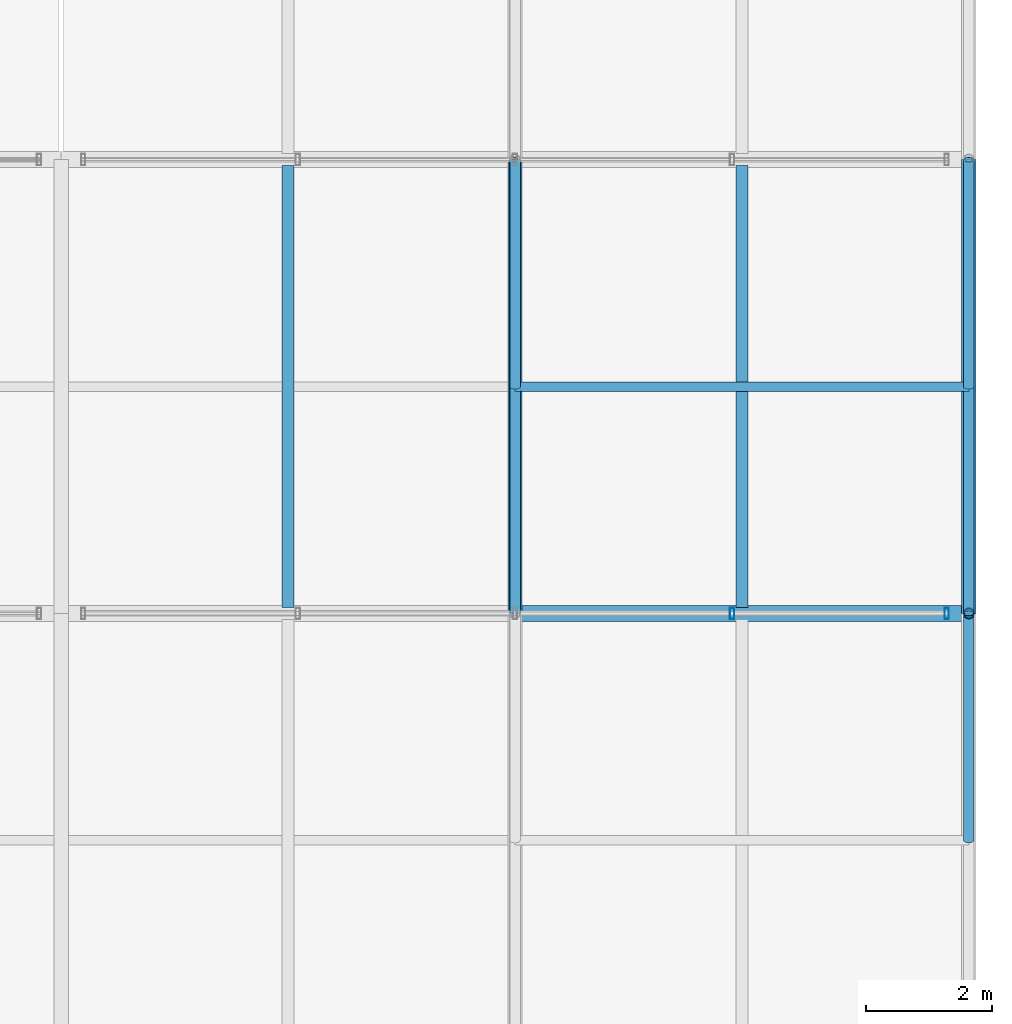
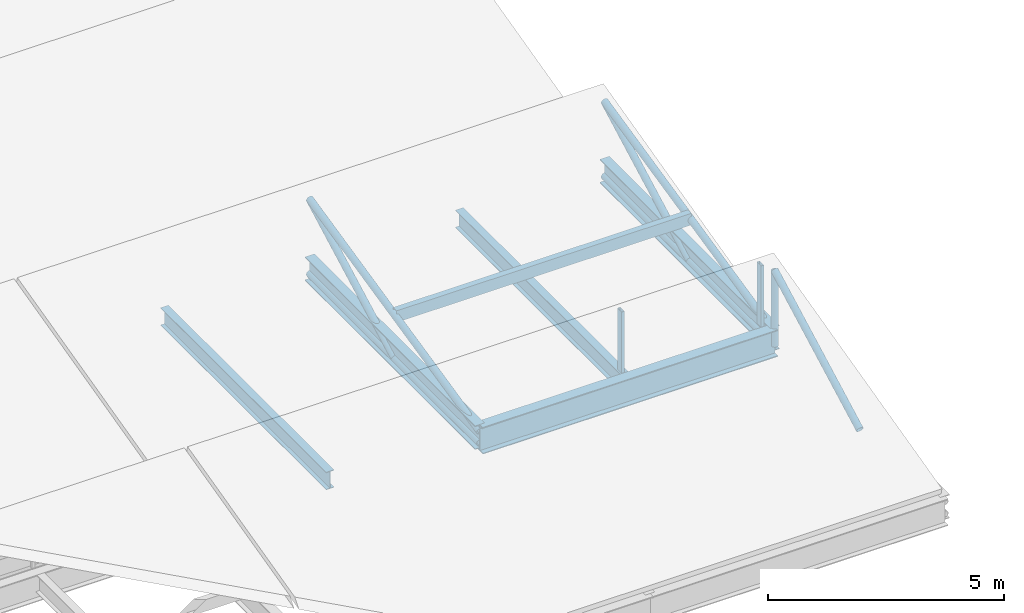
# One storey, part 61 of 144: 11 members, 5 beams, 1 element without a shape of its own.
"""IFC4 building model written with IfcOpenShell, lengths in metres."""

from ifc_helpers import new_model, si_unit, direction, frame, origin, origin_2d, place, context, subcontext, project, spatial, hollow_rectangle, hollow_circle, i_section, extrude, material, material_profile, profile_set, type_object, element, aggregate, save


model = new_model("IFC4")

# Units and contexts
model_context = context("Model", 3, precision=1e-05, world=origin(), true_north=direction((0.0, 1.0)))
body_context = subcontext(model_context, "Body", "Model", "MODEL_VIEW")
ifc_project = project(units=[si_unit("LENGTHUNIT", "METRE"), si_unit("AREAUNIT", "SQUARE_METRE"), si_unit("VOLUMEUNIT", "CUBIC_METRE"), si_unit("PLANEANGLEUNIT", "RADIAN"), si_unit("MASSUNIT", "GRAM", prefix="KILO")], contexts=[model_context])

# Site, building, storey
site_placement = place(None, origin())
site = spatial("IfcSite", under=ifc_project, at=site_placement, CompositionType="ELEMENT")
building_placement = place(site_placement, origin())
building = spatial("IfcBuilding", under=site, at=building_placement, Name="Yarey Park Central Fire Station", CompositionType="ELEMENT")
storey_placement = place(building_placement, frame((0.0, 0.0, 10.199951171875)))
storey = spatial("IfcBuildingStorey", under=building, at=storey_placement, Name="L03", CompositionType="ELEMENT", Elevation=10.199951171875)

# Curtain wall, members
ifc_material_1 = material(Name="Anodized Aluminium Frame", Category="aluminium")
curtain_wall_type = type_object("IfcCurtainWallType", Name="ENV_CW_SAW_18", PredefinedType="NOTDEFINED", material=ifc_material_1)
curtain_wall_placement = place(storey_placement, origin())
curtain_wall = element("IfcCurtainWall", 1, at=curtain_wall_placement, inside=storey, type_object=curtain_wall_type, Name="CW_L03_SAW_1_2", PredefinedType="NOTDEFINED")
ifc_material_profile_1 = material_profile(ifc_material_1, hollow_rectangle(XDim=0.070068359375, YDim=0.179931640625, WallThickness=0.00390625, at=origin_2d()), Name="ALU 180x70x4")
ifc_profile_set_1 = profile_set([ifc_material_profile_1], Name="Anodized Aluminium Frame")
member_type_1 = type_object("IfcMemberType", Name="ENV_CW_MULLION", PredefinedType="MULLION", material=ifc_profile_set_1)
member_1_placement = place(storey_placement, frame((165.25, 50.39990234375, 0.0), z_axis=(0.0, 0.0, 1.0), x_axis=(1.0, 0.0, 0.0)))
member_1 = element("IfcMember", 2, at=member_1_placement, type_object=member_type_1, Name="CW_L03_SAW_1_2_MUL1", PredefinedType="MULLION", context=body_context, shape_type="SweptSolid", body=[
    extrude(hollow_rectangle(XDim=0.070068359375, YDim=0.179931640625, WallThickness=0.00390625, at=origin_2d()), origin(), (0.0, 0.0, 1.0), 1.580078125),
])
member_2_placement = place(storey_placement, frame((161.844970703125, 50.39990234375, 0.0), z_axis=(0.0, 0.0, 1.0), x_axis=(1.0, 0.0, 0.0)))
member_2 = element("IfcMember", 3, at=member_2_placement, type_object=member_type_1, Name="CW_L03_SAW_1_2_MUL2", PredefinedType="MULLION", context=body_context, shape_type="SweptSolid", body=[
    extrude(hollow_rectangle(XDim=0.070068359375, YDim=0.179931640625, WallThickness=0.00390625, at=origin_2d()), origin(), (0.0, 0.0, 1.0), 1.580078125),
])
aggregate(curtain_wall, [member_1, member_2])

# Beams
ifc_material_2 = material(Name="Steel ASTM A992 Gr. 50", Category="steel")
ifc_material_profile_2 = material_profile(ifc_material_2, i_section(OverallWidth=0.22900390625, OverallDepth=0.612060546875, WebThickness=0.011962890625, FlangeThickness=0.01953125, at=origin_2d()), Name="W610x125")
ifc_profile_set_2 = profile_set([ifc_material_profile_2], Name="Steel ASTM A992 Gr. 50")
beam_type_1 = type_object("IfcBeamType", Name="STR_BM_W610", PredefinedType="BEAM", material=ifc_profile_set_2)
for number, where, z_axis, x_axis, name in (
    (4, (158.39990234375, 50.39990234375, -0.48583984375), (0.0, 1.0, 0.0), (-1.0, 0.0, 0.0), "BMY L03 X1584 Y504"),
    (5, (165.60009765625, 50.39990234375, -0.48583984375), (0.0, 1.0, 0.0), (-1.0, 0.0, 0.0), "BMY L03 X1656 Y504"),
):
    element("IfcBeam", number, at=place(storey_placement, frame(where, z_axis=z_axis, x_axis=x_axis)), inside=storey, type_object=beam_type_1, Name=name, PredefinedType="BEAM", context=body_context, shape_type="SweptSolid", body=[
        extrude(i_section(OverallWidth=0.22900390625, OverallDepth=0.612060546875, WebThickness=0.011962890625, FlangeThickness=0.01953125, at=origin_2d()), origin(), (0.0, 0.0, 1.0), 7.2001953125),
    ])
ifc_material_profile_3 = material_profile(ifc_material_2, i_section(OverallWidth=0.256103515625, OverallDepth=0.693115234375, WebThickness=0.014404296875, FlangeThickness=0.023681640625, at=origin_2d()), Name="W690x170")
ifc_profile_set_3 = profile_set([ifc_material_profile_3], Name="Steel ASTM A992 Gr. 50")
beam_type_2 = type_object("IfcBeamType", Name="STR_BM_W690", PredefinedType="BEAM", material=ifc_profile_set_3)
beam_placement = place(storey_placement, frame((158.39990234375, 50.39990234375, -0.5263671875), z_axis=(1.0, 0.0, 0.0), x_axis=(0.0, 1.0, 0.0)))
element("IfcBeam", 6, at=beam_placement, inside=storey, type_object=beam_type_2, Name="BMX L03 Y504 X1584", PredefinedType="BEAM", context=body_context, shape_type="SweptSolid", body=[
    extrude(i_section(OverallWidth=0.256103515625, OverallDepth=0.693115234375, WebThickness=0.014404296875, FlangeThickness=0.023681640625, at=origin_2d()), origin(), (0.0, 0.0, 1.0), 7.2001953125),
])

# Members
ifc_material_3 = material(Name="Steel ASTM A500 Gr. C", Category="steel")
ifc_material_profile_4 = material_profile(ifc_material_3, hollow_circle(Radius=0.084228515625, WallThickness=0.008056640625, at=origin_2d()), Name="CHS 168.3x8")
ifc_profile_set_4 = profile_set([ifc_material_profile_4], Name="Steel ASTM A500 Gr. C")
member_type_2 = type_object("IfcMemberType", Name="STR_CHORD_CHS168", PredefinedType="CHORD", material=ifc_profile_set_4)
member_3_placement = place(storey_placement, frame((158.39990234375, 50.39990234375, -0.64990234375), z_axis=(0.0, 1.0, 0.0), x_axis=(-1.0, 0.0, 0.0)))
element("IfcMember", 7, at=member_3_placement, inside=storey, type_object=member_type_2, Name="SAW_T3_B2_BC", PredefinedType="CHORD", context=body_context, shape_type="SweptSolid", body=[
    extrude(hollow_circle(Radius=0.084228515625, WallThickness=0.008056640625, at=origin_2d()), origin(), (0.0, 0.0, 1.0), 7.2001953125),
])
member_4_placement = place(storey_placement, frame((158.39990234375, 50.39990234375, -0.349853515625), z_axis=(0.0, 0.975465753488, 0.220151229324), x_axis=(-1.0, 0.0, 0.0)))
element("IfcMember", 8, at=member_4_placement, inside=storey, type_object=member_type_2, Name="SAW_T3_B2_TC", PredefinedType="CHORD", context=body_context, shape_type="SweptSolid", body=[
    extrude(hollow_circle(Radius=0.084228515625, WallThickness=0.008056640625, at=origin_2d()), origin(), (0.0, 0.0, 1.0), 7.38134765625),
])
member_5_placement = place(storey_placement, frame((165.60009765625, 50.39990234375, -0.64990234375), z_axis=(0.0, 1.0, 0.0), x_axis=(-1.0, 0.0, 0.0)))
element("IfcMember", 9, at=member_5_placement, inside=storey, type_object=member_type_2, Name="SAW_T4_B2_BC", PredefinedType="CHORD", context=body_context, shape_type="SweptSolid", body=[
    extrude(hollow_circle(Radius=0.084228515625, WallThickness=0.008056640625, at=origin_2d()), origin(), (0.0, 0.0, 1.0), 7.2001953125),
])
member_6_placement = place(storey_placement, frame((165.60009765625, 50.39990234375, -0.349853515625), z_axis=(0.0, 0.975465753488, 0.220151229324), x_axis=(-1.0, 0.0, 0.0)))
element("IfcMember", 10, at=member_6_placement, inside=storey, type_object=member_type_2, Name="SAW_T4_B2_TC", PredefinedType="CHORD", context=body_context, shape_type="SweptSolid", body=[
    extrude(hollow_circle(Radius=0.084228515625, WallThickness=0.008056640625, at=origin_2d()), origin(), (0.0, 0.0, 1.0), 7.38134765625),
])

# Beams
ifc_material_profile_5 = material_profile(ifc_material_2, i_section(OverallWidth=0.18994140625, OverallDepth=0.45703125, WebThickness=0.009033203125, FlangeThickness=0.014404296875, at=origin_2d()), Name="W460x74")
ifc_profile_set_5 = profile_set([ifc_material_profile_5], Name="Steel ASTM A992 Gr. 50")
beam_type_3 = type_object("IfcBeamType", Name="STR_JST_W460", PredefinedType="JOIST", material=ifc_profile_set_5)
for number, where, z_axis, x_axis, name in (
    (11, (154.800048828125, 50.4951171875, -0.408447265625), (0.0, 1.0, 0.0), (-1.0, 0.0, 0.0), "JST L03 X1548 Y504"),
    (12, (162.0, 50.4951171875, -0.408447265625), (0.0, 1.0, 0.0), (-1.0, 0.0, 0.0), "JST L03 X1620 Y504"),
):
    element("IfcBeam", number, at=place(storey_placement, frame(where, z_axis=z_axis, x_axis=x_axis)), inside=storey, type_object=beam_type_3, Name=name, PredefinedType="JOIST", context=body_context, shape_type="SweptSolid", body=[
        extrude(i_section(OverallWidth=0.18994140625, OverallDepth=0.45703125, WebThickness=0.009033203125, FlangeThickness=0.014404296875, at=origin_2d()), origin(), (0.0, 0.0, 1.0), 7.009765625),
    ])

# Members
ifc_material_profile_6 = material_profile(ifc_material_3, hollow_rectangle(XDim=0.14990234375, YDim=0.300048828125, WallThickness=0.010009765625, at=origin_2d()), Name="HSS 300x150x10")
ifc_profile_set_6 = profile_set([ifc_material_profile_6], Name="Steel ASTM A500 Gr. C")
member_type_3 = type_object("IfcMemberType", Name="STR_PUR_HSS300", PredefinedType="PURLIN", material=ifc_profile_set_6)
member_7_placement = place(storey_placement, frame((158.39990234375, 54.0, 0.462646484375), z_axis=(1.0, 0.0, 0.0), x_axis=(0.0, 1.0, 0.0)))
element("IfcMember", 13, at=member_7_placement, inside=storey, type_object=member_type_3, Name="SAW_PUR_3_B2", PredefinedType="PURLIN", context=body_context, shape_type="SweptSolid", body=[
    extrude(hollow_rectangle(XDim=0.14990234375, YDim=0.300048828125, WallThickness=0.010009765625, at=origin_2d()), origin(), (0.0, 0.0, 1.0), 7.2001953125),
])
ifc_material_profile_7 = material_profile(ifc_material_3, hollow_circle(Radius=0.084228515625, WallThickness=0.008056640625, at=origin_2d()), Name="CHS 168.3x8")
ifc_profile_set_7 = profile_set([ifc_material_profile_7], Name="Steel ASTM A500 Gr. C")
member_type_4 = type_object("IfcMemberType", Name="STR_WEB_CHS168", PredefinedType="BRACE", material=ifc_profile_set_7)
member_8_placement = place(storey_placement, frame((158.39990234375, 54.0, -0.64990234375), z_axis=(0.0, 0.881844210833, 0.471540865483), x_axis=(-1.0, 0.0, 0.0)))
element("IfcMember", 14, at=member_8_placement, inside=storey, type_object=member_type_4, Name="SAW_T3_B2_DG", PredefinedType="BRACE", context=body_context, shape_type="SweptSolid", body=[
    extrude(hollow_circle(Radius=0.084228515625, WallThickness=0.008056640625, at=origin_2d()), origin(), (0.0, 0.0, 1.0), 4.08251953125),
])
member_9_placement = place(storey_placement, frame((165.60009765625, 50.39990234375, -0.64990234375), z_axis=(0.0, 0.0, 1.0), x_axis=(1.0, 0.0, 0.0)))
element("IfcMember", 15, at=member_9_placement, inside=storey, type_object=member_type_4, Name="SAW_T4_B1_VT", PredefinedType="BRACE", context=body_context, shape_type="SweptSolid", body=[
    extrude(hollow_circle(Radius=0.084228515625, WallThickness=0.008056640625, at=origin_2d()), origin(), (0.0, 0.0, 1.0), 1.925048828125),
])
member_10_placement = place(storey_placement, frame((165.60009765625, 46.800048828125, -0.64990234375), z_axis=(0.0, 0.8818309127, 0.471565733919), x_axis=(-1.0, 0.0, 0.0)))
element("IfcMember", 16, at=member_10_placement, inside=storey, type_object=member_type_4, Name="SAW_T4_B1_DG", PredefinedType="BRACE", context=body_context, shape_type="SweptSolid", body=[
    extrude(hollow_circle(Radius=0.084228515625, WallThickness=0.008056640625, at=origin_2d()), origin(), (0.0, 0.0, 1.0), 4.082275390625),
])
member_11_placement = place(storey_placement, frame((165.60009765625, 54.0, -0.64990234375), z_axis=(0.0, 0.881844210833, 0.471540865483), x_axis=(-1.0, 0.0, 0.0)))
element("IfcMember", 17, at=member_11_placement, inside=storey, type_object=member_type_4, Name="SAW_T4_B2_DG", PredefinedType="BRACE", context=body_context, shape_type="SweptSolid", body=[
    extrude(hollow_circle(Radius=0.084228515625, WallThickness=0.008056640625, at=origin_2d()), origin(), (0.0, 0.0, 1.0), 4.08251953125),
])

save(model, "model.ifc")
